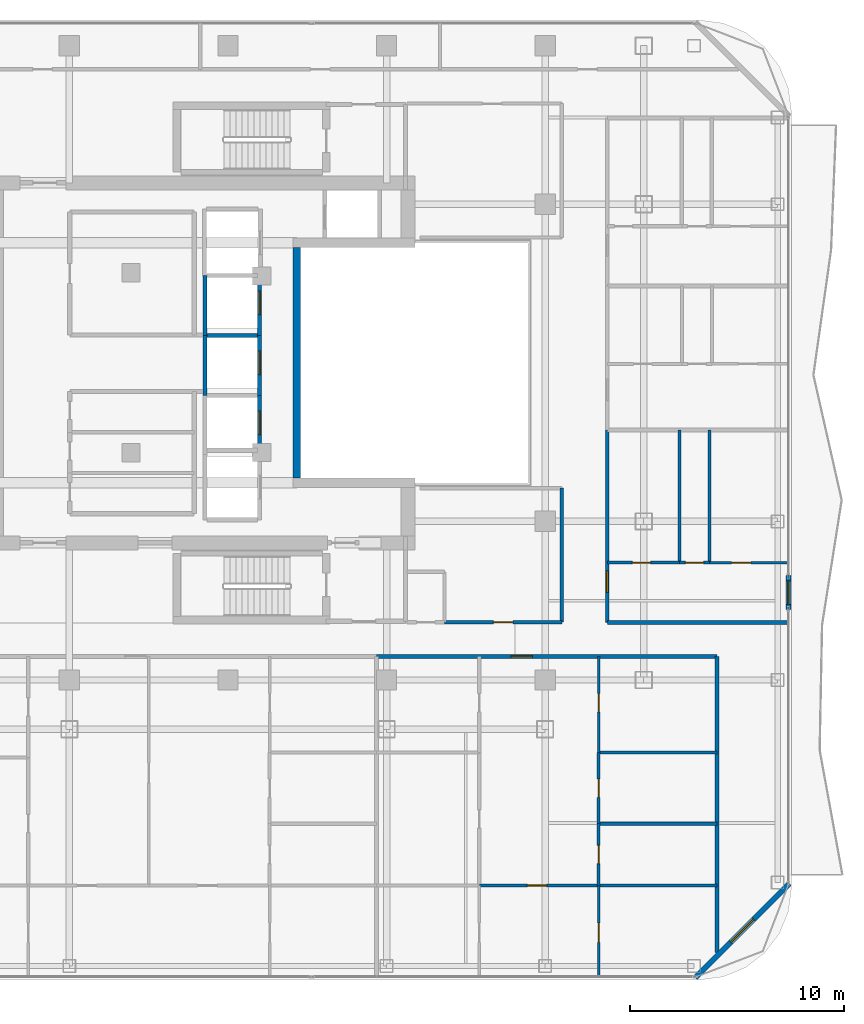
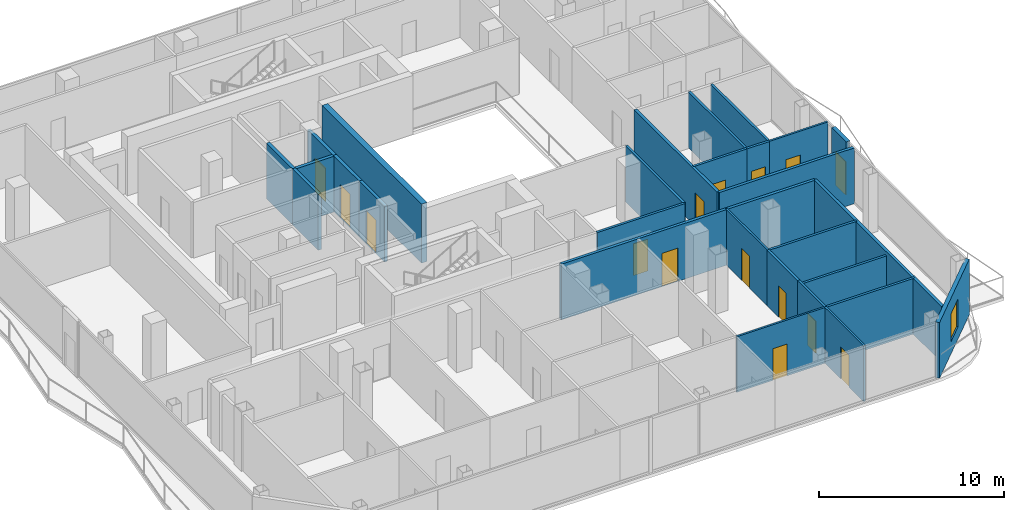
# One storey, part 22 of 27: 28 walls, 15 doors, 1 window, 16 openings.
"""IFC4 building model written with IfcOpenShell, lengths in metres."""

from ifc_helpers import new_model, si_unit, direction, frame, frame_2d, origin, place, context, subcontext, project, spatial, rectangle, extrude, material, layer, layer_set, type_object, element, fill, save


model = new_model("IFC4")

# Units and contexts
model_context = context("Model", 3, precision=1e-05, world=origin(), true_north=direction((0.0, 1.0)))
body_context = subcontext(model_context, "Body", "Model", "MODEL_VIEW")
ifc_project = project(units=[si_unit("LENGTHUNIT", "METRE"), si_unit("AREAUNIT", "SQUARE_METRE"), si_unit("VOLUMEUNIT", "CUBIC_METRE"), si_unit("PLANEANGLEUNIT", "RADIAN"), si_unit("MASSUNIT", "GRAM", prefix="KILO")], contexts=[model_context])

# Site, building, storey
site_placement = place(None, origin())
site = spatial("IfcSite", under=ifc_project, at=site_placement, CompositionType="ELEMENT")
building_placement = place(site_placement, origin())
building = spatial("IfcBuilding", under=site, at=building_placement, Name="Khorvyn Point Tower", CompositionType="ELEMENT")
storey_placement = place(building_placement, frame((0.0, 0.0, 243.0)))
storey = spatial("IfcBuildingStorey", under=building, at=storey_placement, Name="L59", CompositionType="ELEMENT", Elevation=243.0)

# Wall, opening, door
ifc_material_1 = material(Name="Double acoustic gypsum on twin steel stud", Category="steel")
ifc_layer_1 = layer(ifc_material_1, 0.179931640625)
ifc_layer_set_1 = layer_set([ifc_layer_1], Name="Acoustic Double-Stud Apartment Demising Wall 180")
wall_type_1 = type_object("IfcWallType", Name="Acoustic Double-Stud Apartment Demising Wall 180", PredefinedType="PARTITIONING", material=ifc_layer_set_1)
wall_1_placement = place(storey_placement, frame((6.927001953125, -13.699951171875, 0.0), z_axis=(0.0, 0.0, 1.0), x_axis=(1.0, 0.0, 0.0)))
wall_1 = element("IfcWall", 1, at=wall_1_placement, inside=storey, type_object=wall_type_1, Name="Wall", PredefinedType="PARTITIONING", context=body_context, shape_type="SweptSolid", body=[
    extrude(rectangle(XDim=15.89306640625, YDim=0.179931640625, at=frame_2d((7.946533203125, 0.0))), origin(), (0.0, 0.0, 1.0), 3.679931640625),
])
opening_1_placement = place(wall_1_placement, frame((6.277099609375, 0.0, 0.0)))
opening_1 = element("IfcOpeningElement", 2, at=opening_1_placement, cuts=wall_1, Name="Opening ID-AP60", PredefinedType="OPENING", context=body_context, shape_type="SweptSolid", body=[
    extrude(rectangle(XDim=1.0, YDim=2.199951171875, at=frame_2d((0.5, 1.10009765625))), frame((0.0, 0.099853515625, 0.0), z_axis=(0.0, -1.0, 0.0), x_axis=(1.0, 0.0, 0.0)), (0.0, 0.0, 1.0), 0.199951171875),
])
ifc_material_2 = material(Name="Engineered hardwood fire-rated leaf", Category="wood")
door_type_1 = type_object("IfcDoorType", Name="Acoustic Solid-Core Timber Apartment Entrance Door 1000x2200", OperationType="NOTDEFINED", PredefinedType="DOOR", material=ifc_material_2)
door_1_placement = place(opening_1_placement, origin())
door_1 = element("IfcDoor", 3, at=door_1_placement, inside=storey, type_object=door_type_1, Name="Door", OperationType="SINGLE_SWING_RIGHT", OverallHeight=2.199951171875, OverallWidth=1.0, PredefinedType="DOOR", context=body_context, shape_type="SweptSolid", body=[
    extrude(rectangle(XDim=1.0, YDim=2.199951171875, at=frame_2d((0.5, 1.10009765625))), frame((0.0, 0.02490234375, 0.0), z_axis=(0.0, -1.0, 0.0), x_axis=(1.0, 0.0, 0.0)), (0.0, 0.0, 1.0), 0.050048828125),
])
fill(opening_1, door_1)

wall_2_placement = place(storey_placement, frame((17.699951171875, -12.1201171875, 0.0), z_axis=(0.0, 0.0, 1.0), x_axis=(0.0, 1.0, 0.0)))
wall_2 = element("IfcWall", 4, at=wall_2_placement, inside=storey, type_object=wall_type_1, Name="Wall", PredefinedType="PARTITIONING", context=body_context, shape_type="SweptSolid", body=[
    extrude(rectangle(XDim=8.980224609375, YDim=0.179931640625, at=frame_2d((4.490234375, 0.0))), origin(), (0.0, 0.0, 1.0), 3.679931640625),
])
opening_2_placement = place(wall_2_placement, frame((1.406982421875, 0.0, 0.0)))
opening_2 = element("IfcOpeningElement", 5, at=opening_2_placement, cuts=wall_2, Name="Opening ID-AP60", PredefinedType="OPENING", context=body_context, shape_type="SweptSolid", body=[
    extrude(rectangle(XDim=1.0, YDim=2.199951171875, at=frame_2d((0.5, 1.10009765625))), frame((0.0, 0.099853515625, 0.0), z_axis=(0.0, -1.0, 0.0), x_axis=(1.0, 0.0, 0.0)), (0.0, 0.0, 1.0), 0.199951171875),
])
door_2_placement = place(opening_2_placement, origin())
door_2 = element("IfcDoor", 6, at=door_2_placement, inside=storey, type_object=door_type_1, Name="Door", OperationType="SINGLE_SWING_LEFT", OverallHeight=2.199951171875, OverallWidth=1.0, PredefinedType="DOOR", context=body_context, shape_type="SweptSolid", body=[
    extrude(rectangle(XDim=1.0, YDim=2.199951171875, at=frame_2d((0.5, 1.10009765625))), frame((0.0, 0.02490234375, 0.0), z_axis=(0.0, -1.0, 0.0), x_axis=(1.0, 0.0, 0.0)), (0.0, 0.0, 1.0), 0.050048828125),
])
fill(opening_2, door_2)

# Walls
wall_3_placement = place(storey_placement, frame((22.820068359375, -27.510009765625, 0.0), z_axis=(0.0, 0.0, 1.0), x_axis=(0.0, 1.0, 0.0)))
element("IfcWall", 7, at=wall_3_placement, inside=storey, type_object=wall_type_1, Name="Wall", PredefinedType="PARTITIONING", context=body_context, shape_type="SweptSolid", body=[
    extrude(rectangle(XDim=13.81005859375, YDim=0.179931640625, at=frame_2d((6.905029296875, 0.0))), origin(), (0.0, 0.0, 1.0), 3.679931640625),
])
wall_4_placement = place(storey_placement, frame((17.699951171875, -12.1201171875, 0.0), z_axis=(0.0, 0.0, 1.0), x_axis=(1.0, 0.0, 0.0)))
element("IfcWall", 8, at=wall_4_placement, inside=storey, type_object=wall_type_1, Name="Wall", PredefinedType="PARTITIONING", context=body_context, shape_type="SweptSolid", body=[
    extrude(rectangle(XDim=8.429931640625, YDim=0.179931640625, at=frame_2d((4.21484375, 0.0))), origin(), (0.0, 0.0, 1.0), 3.679931640625),
])

# Wall, opening, door
ifc_material_3 = material(Name="Pale anodised aluminium rainscreen on steel stud", Category="steel")
ifc_layer_2 = layer(ifc_material_3, 0.239990234375)
ifc_layer_set_2 = layer_set([ifc_layer_2], Name="Anodised Aluminium Insulated Corner Spandrel Wall 240")
wall_type_2 = type_object("IfcWallType", Name="Anodised Aluminium Insulated Corner Spandrel Wall 240", PredefinedType="SOLIDWALL", material=ifc_layer_set_2)
wall_5_placement = place(storey_placement, frame((26.14990234375, -9.929931640625, 0.0), z_axis=(0.0, 0.0, 1.0), x_axis=(0.0, -1.0, 0.0)))
wall_5 = element("IfcWall", 9, at=wall_5_placement, inside=storey, type_object=wall_type_2, Name="L59 East Outdoor Threshold Wall", PredefinedType="SOLIDWALL", context=body_context, shape_type="SweptSolid", body=[
    extrude(rectangle(XDim=1.580078125, YDim=0.239990234375, at=frame_2d((0.7900390625, 0.0))), origin(), (0.0, 0.0, 1.0), 3.679931640625),
])
opening_3_placement = place(wall_5_placement, frame((0.239990234375, 0.0, 0.0)))
opening_3 = element("IfcOpeningElement", 10, at=opening_3_placement, cuts=wall_5, Name="Opening BD-1122", PredefinedType="OPENING", context=body_context, shape_type="SweptSolid", body=[
    extrude(rectangle(XDim=1.10009765625, YDim=2.199951171875, at=frame_2d((0.550048828125, 1.10009765625))), frame((0.0, 0.1298828125, 0.0), z_axis=(0.0, -1.0, 0.0), x_axis=(1.0, 0.0, 0.0)), (0.0, 0.0, 1.0), 0.260009765625),
])
ifc_material_4 = material(Name="Anodised aluminium 6063-T6 and laminated Low-E glass", Category="aluminium")
door_type_2 = type_object("IfcDoorType", Name="Glazed Balcony and Terrace Threshold Door 1100x2200", OperationType="NOTDEFINED", PredefinedType="DOOR", material=ifc_material_4)
door_3_placement = place(opening_3_placement, origin())
door_3 = element("IfcDoor", 11, at=door_3_placement, inside=storey, type_object=door_type_2, Name="L59 East Glazed Balcony Outdoor Door", OperationType="SINGLE_SWING_LEFT", OverallHeight=2.199951171875, OverallWidth=1.10009765625, PredefinedType="DOOR", context=body_context, shape_type="SweptSolid", body=[
    extrude(rectangle(XDim=1.10009765625, YDim=2.199951171875, at=frame_2d((0.550048828125, 1.10009765625))), frame((0.0, 0.02490234375, 0.0), z_axis=(0.0, -1.0, 0.0), x_axis=(1.0, 0.0, 0.0)), (0.0, 0.0, 1.0), 0.050048828125),
])
fill(opening_3, door_3)

# Wall, opening, window
wall_6_placement = place(storey_placement, frame((26.1923828125, -24.3076171875, 0.0), z_axis=(0.0, 0.0, 1.0), x_axis=(-0.707106781187, -0.707106781187, 0.0)))
wall_6 = element("IfcWall", 12, at=wall_6_placement, inside=storey, type_object=wall_type_2, Name="L59 Rounded Corner Wall SE", PredefinedType="SOLIDWALL", context=body_context, shape_type="SweptSolid", body=[
    extrude(rectangle(XDim=6.200927734375, YDim=0.239990234375, at=frame_2d((3.1005859375, 0.0))), origin(), (0.0, 0.0, 1.0), 3.679931640625),
])
opening_4_placement = place(wall_6_placement, frame((2.3505859375, 0.0, 0.800048828125)))
opening_4 = element("IfcOpeningElement", 13, at=opening_4_placement, cuts=wall_6, Name="Opening WN-1518", PredefinedType="OPENING", context=body_context, shape_type="SweptSolid", body=[
    extrude(rectangle(XDim=1.5, YDim=1.85009765625, at=frame_2d((0.75, 0.925048828125))), frame((0.0, 0.1298828125, 0.0), z_axis=(0.0, -1.0, 0.0), x_axis=(1.0, 0.0, 0.0)), (0.0, 0.0, 1.0), 0.260009765625),
])
window_type = type_object("IfcWindowType", Name="Anodised Aluminium Rounded-Corner Panoramic Window 1500x1850", PartitioningType="SINGLE_PANEL", PredefinedType="WINDOW", material=ifc_material_4)
window_placement = place(opening_4_placement, origin())
window = element("IfcWindow", 14, at=window_placement, inside=storey, type_object=window_type, Name="L59 Corner Panoramic Window SE", OverallHeight=1.85009765625, OverallWidth=1.5, PartitioningType="SINGLE_PANEL", PredefinedType="WINDOW", context=body_context, shape_type="SweptSolid", body=[
    extrude(rectangle(XDim=1.5, YDim=1.85009765625, at=frame_2d((0.75, 0.925048828125))), frame((0.0, 0.030029296875, 0.0), z_axis=(0.0, -1.0, 0.0), x_axis=(1.0, 0.0, 0.0)), (0.0, 0.0, 1.0), 0.06005859375),
])
fill(opening_4, window)

# Wall
ifc_material_5 = material(Name="Concrete C40/50", Category="concrete")
ifc_layer_3 = layer(ifc_material_5, 0.35009765625)
ifc_layer_set_3 = layer_set([ifc_layer_3], Name="Concrete C40/50 Stair Shaft Structural Wall 350")
wall_type_3 = type_object("IfcWallType", Name="Concrete C40/50 Stair Shaft Structural Wall 350", PredefinedType="SHEAR", material=ifc_layer_set_3)
wall_7_placement = place(storey_placement, frame((3.219970703125, -5.375, 0.0), z_axis=(0.0, 0.0, 1.0), x_axis=(0.0, 1.0, 0.0)))
element("IfcWall", 15, at=wall_7_placement, inside=storey, type_object=wall_type_3, Name="Wall", PredefinedType="SHEAR", context=body_context, shape_type="SweptSolid", body=[
    extrude(rectangle(XDim=10.75, YDim=0.35009765625, at=frame_2d((5.375, 0.0))), origin(), (0.0, 0.0, 1.0), 3.89990234375),
])

# Wall, opening, door
ifc_layer_4 = layer(ifc_material_5, 0.199951171875)
ifc_layer_set_4 = layer_set([ifc_layer_4], Name="Concrete C40/50 Structural Hoistway and Stair Shaft Wall 200")
wall_type_4 = type_object("IfcWallType", Name="Concrete C40/50 Structural Hoistway and Stair Shaft Wall 200", PredefinedType="SHEAR", material=ifc_layer_set_4)
wall_8_placement = place(storey_placement, frame((1.47509765625, -4.27490234375, 0.0), z_axis=(0.0, 0.0, 1.0), x_axis=(0.0, 1.0, 0.0)))
wall_8 = element("IfcWall", 16, at=wall_8_placement, inside=storey, type_object=wall_type_4, Name="Wall", PredefinedType="SHEAR", context=body_context, shape_type="SweptSolid", body=[
    extrude(rectangle(XDim=2.75, YDim=0.199951171875, at=frame_2d((1.375, 0.0))), origin(), (0.0, 0.0, 1.0), 3.679931640625),
])
opening_5_placement = place(wall_8_placement, frame((0.925048828125, 0.0, 0.0)))
opening_5 = element("IfcOpeningElement", 17, at=opening_5_placement, cuts=wall_8, Name="Opening LD-1122", PredefinedType="OPENING", context=body_context, shape_type="SweptSolid", body=[
    extrude(rectangle(XDim=1.10009765625, YDim=2.199951171875, at=frame_2d((0.550048828125, 1.10009765625))), frame((0.0, 0.10986328125, 0.0), z_axis=(0.0, -1.0, 0.0), x_axis=(1.0, 0.0, 0.0)), (0.0, 0.0, 1.0), 0.219970703125),
])
ifc_material_6 = material(Name="Stainless steel 1.4301", Category="steel")
door_type_3 = type_object("IfcDoorType", Name="Stainless Steel Automatic Sliding Lift Landing Door 1100x2200", OperationType="SLIDING_TO_LEFT", PredefinedType="DOOR", material=ifc_material_6)
door_4_placement = place(opening_5_placement, origin())
door_4 = element("IfcDoor", 18, at=door_4_placement, inside=storey, type_object=door_type_3, Name="L59 RH-01 Sliding Lift Landing Door", OperationType="SLIDING_TO_LEFT", OverallHeight=2.199951171875, OverallWidth=1.10009765625, PredefinedType="DOOR", context=body_context, shape_type="SweptSolid", body=[
    extrude(rectangle(XDim=1.10009765625, YDim=2.199951171875, at=frame_2d((0.550048828125, 1.10009765625))), frame((0.0, 0.02490234375, 0.0), z_axis=(0.0, -1.0, 0.0), x_axis=(1.0, 0.0, 0.0)), (0.0, 0.0, 1.0), 0.050048828125),
])
fill(opening_5, door_4)

# Wall
wall_9_placement = place(storey_placement, frame((-1.074951171875, -1.52490234375, 0.0), z_axis=(0.0, 0.0, 1.0), x_axis=(0.0, 1.0, 0.0)))
element("IfcWall", 19, at=wall_9_placement, inside=storey, type_object=wall_type_4, Name="Wall", PredefinedType="SHEAR", context=body_context, shape_type="SweptSolid", body=[
    extrude(rectangle(XDim=2.7998046875, YDim=0.199951171875, at=frame_2d((1.39990234375, 0.0))), origin(), (0.0, 0.0, 1.0), 3.679931640625),
])

# Wall, opening, door
wall_10_placement = place(storey_placement, frame((1.47509765625, -1.52490234375, 0.0), z_axis=(0.0, 0.0, 1.0), x_axis=(0.0, 1.0, 0.0)))
wall_10 = element("IfcWall", 20, at=wall_10_placement, inside=storey, type_object=wall_type_4, Name="Wall", PredefinedType="SHEAR", context=body_context, shape_type="SweptSolid", body=[
    extrude(rectangle(XDim=2.7998046875, YDim=0.199951171875, at=frame_2d((1.39990234375, 0.0))), origin(), (0.0, 0.0, 1.0), 3.679931640625),
])
opening_6_placement = place(wall_10_placement, frame((0.97509765625, 0.0, 0.0)))
opening_6 = element("IfcOpeningElement", 21, at=opening_6_placement, cuts=wall_10, Name="Opening LD-1122", PredefinedType="OPENING", context=body_context, shape_type="SweptSolid", body=[
    extrude(rectangle(XDim=1.10009765625, YDim=2.199951171875, at=frame_2d((0.550048828125, 1.10009765625))), frame((0.0, 0.10986328125, 0.0), z_axis=(0.0, -1.0, 0.0), x_axis=(1.0, 0.0, 0.0)), (0.0, 0.0, 1.0), 0.219970703125),
])
door_5_placement = place(opening_6_placement, origin())
door_5 = element("IfcDoor", 22, at=door_5_placement, inside=storey, type_object=door_type_3, Name="L59 RH-02 Sliding Lift Landing Door", OperationType="SLIDING_TO_LEFT", OverallHeight=2.199951171875, OverallWidth=1.10009765625, PredefinedType="DOOR", context=body_context, shape_type="SweptSolid", body=[
    extrude(rectangle(XDim=1.10009765625, YDim=2.199951171875, at=frame_2d((0.550048828125, 1.10009765625))), frame((0.0, 0.02490234375, 0.0), z_axis=(0.0, -1.0, 0.0), x_axis=(1.0, 0.0, 0.0)), (0.0, 0.0, 1.0), 0.050048828125),
])
fill(opening_6, door_5)

# Walls
wall_11_placement = place(storey_placement, frame((-0.97509765625, 1.27490234375, 0.0), z_axis=(0.0, 0.0, 1.0), x_axis=(1.0, 0.0, 0.0)))
element("IfcWall", 23, at=wall_11_placement, inside=storey, type_object=wall_type_4, Name="Wall", PredefinedType="SHEAR", context=body_context, shape_type="SweptSolid", body=[
    extrude(rectangle(XDim=2.35009765625, YDim=0.199951171875, at=frame_2d((1.175048828125, 0.0))), origin(), (0.0, 0.0, 1.0), 3.679931640625),
])
wall_12_placement = place(storey_placement, frame((-1.074951171875, 1.27490234375, 0.0), z_axis=(0.0, 0.0, 1.0), x_axis=(0.0, 1.0, 0.0)))
element("IfcWall", 24, at=wall_12_placement, inside=storey, type_object=wall_type_4, Name="Wall", PredefinedType="SHEAR", context=body_context, shape_type="SweptSolid", body=[
    extrude(rectangle(XDim=2.800048828125, YDim=0.199951171875, at=frame_2d((1.39990234375, 0.0))), origin(), (0.0, 0.0, 1.0), 3.679931640625),
])

# Wall, opening, door
wall_13_placement = place(storey_placement, frame((1.47509765625, 1.27490234375, 0.0), z_axis=(0.0, 0.0, 1.0), x_axis=(0.0, 1.0, 0.0)))
wall_13 = element("IfcWall", 25, at=wall_13_placement, inside=storey, type_object=wall_type_4, Name="Wall", PredefinedType="SHEAR", context=body_context, shape_type="SweptSolid", body=[
    extrude(rectangle(XDim=2.800048828125, YDim=0.199951171875, at=frame_2d((1.39990234375, 0.0))), origin(), (0.0, 0.0, 1.0), 3.679931640625),
])
opening_7_placement = place(wall_13_placement, frame((0.97509765625, 0.0, 0.0)))
opening_7 = element("IfcOpeningElement", 26, at=opening_7_placement, cuts=wall_13, Name="Opening LD-1122", PredefinedType="OPENING", context=body_context, shape_type="SweptSolid", body=[
    extrude(rectangle(XDim=1.10009765625, YDim=2.199951171875, at=frame_2d((0.550048828125, 1.10009765625))), frame((0.0, 0.10986328125, 0.0), z_axis=(0.0, -1.0, 0.0), x_axis=(1.0, 0.0, 0.0)), (0.0, 0.0, 1.0), 0.219970703125),
])
door_6_placement = place(opening_7_placement, origin())
door_6 = element("IfcDoor", 27, at=door_6_placement, inside=storey, type_object=door_type_3, Name="L59 RH-03 Sliding Lift Landing Door", OperationType="SLIDING_TO_LEFT", OverallHeight=2.199951171875, OverallWidth=1.10009765625, PredefinedType="DOOR", context=body_context, shape_type="SweptSolid", body=[
    extrude(rectangle(XDim=1.10009765625, YDim=2.199951171875, at=frame_2d((0.550048828125, 1.10009765625))), frame((0.0, 0.02490234375, 0.0), z_axis=(0.0, -1.0, 0.0), x_axis=(1.0, 0.0, 0.0)), (0.0, 0.0, 1.0), 0.050048828125),
])
fill(opening_7, door_6)

ifc_material_7 = material(Name="Gypsum plasterboard on steel stud", Category="steel")
ifc_layer_5 = layer(ifc_material_7, 0.1201171875)
ifc_layer_set_5 = layer_set([ifc_layer_5], Name="Gypsum Acoustic Stud Room Partition Wall 120")
wall_type_5 = type_object("IfcWallType", Name="Gypsum Acoustic Stud Room Partition Wall 120", PredefinedType="PARTITIONING", material=ifc_layer_set_5)
wall_14_placement = place(storey_placement, frame((11.72998046875, -24.389892578125, 0.0), z_axis=(0.0, 0.0, 1.0), x_axis=(1.0, 0.0, 0.0)))
wall_14 = element("IfcWall", 28, at=wall_14_placement, inside=storey, type_object=wall_type_5, Name="Wall", PredefinedType="PARTITIONING", context=body_context, shape_type="SweptSolid", body=[
    extrude(rectangle(XDim=5.56298828125, YDim=0.1201171875, at=frame_2d((2.781494140625, 0.0))), origin(), (0.0, 0.0, 1.0), 3.679931640625),
])
opening_8_placement = place(wall_14_placement, frame((2.24462890625, 0.0, 0.0)))
opening_8 = element("IfcOpeningElement", 29, at=opening_8_placement, cuts=wall_14, Name="Opening ID-RM90", PredefinedType="OPENING", context=body_context, shape_type="SweptSolid", body=[
    extrude(rectangle(XDim=0.89990234375, YDim=2.10009765625, at=frame_2d((0.449951171875, 1.050048828125))), frame((0.0, 0.070068359375, 0.0), z_axis=(0.0, -1.0, 0.0), x_axis=(1.0, 0.0, 0.0)), (0.0, 0.0, 1.0), 0.14013671875),
])
ifc_material_8 = material(Name="Engineered oak veneer timber", Category="wood")
door_type_4 = type_object("IfcDoorType", Name="Flush Engineered Timber Room Door 900x2100", OperationType="NOTDEFINED", PredefinedType="DOOR", material=ifc_material_8)
door_7_placement = place(opening_8_placement, origin())
door_7 = element("IfcDoor", 30, at=door_7_placement, inside=storey, type_object=door_type_4, Name="Door", OperationType="SINGLE_SWING_LEFT", OverallHeight=2.10009765625, OverallWidth=0.89990234375, PredefinedType="DOOR", context=body_context, shape_type="SweptSolid", body=[
    extrude(rectangle(XDim=0.89990234375, YDim=2.10009765625, at=frame_2d((0.449951171875, 1.050048828125))), frame((0.0, 0.02490234375, 0.0), z_axis=(0.0, -1.0, 0.0), x_axis=(1.0, 0.0, 0.0)), (0.0, 0.0, 1.0), 0.050048828125),
])
fill(opening_8, door_7)

wall_15_placement = place(storey_placement, frame((17.29296875, -18.18994140625, 0.0), z_axis=(0.0, 0.0, 1.0), x_axis=(0.0, 1.0, 0.0)))
wall_15 = element("IfcWall", 31, at=wall_15_placement, inside=storey, type_object=wall_type_5, Name="Wall", PredefinedType="PARTITIONING", context=body_context, shape_type="SweptSolid", body=[
    extrude(rectangle(XDim=4.489990234375, YDim=0.1201171875, at=frame_2d((2.2451171875, 0.0))), origin(), (0.0, 0.0, 1.0), 3.679931640625),
])
opening_9_placement = place(wall_15_placement, frame((1.907470703125, 0.0, 0.0)))
opening_9 = element("IfcOpeningElement", 32, at=opening_9_placement, cuts=wall_15, Name="Opening ID-WC85", PredefinedType="OPENING", context=body_context, shape_type="SweptSolid", body=[
    extrude(rectangle(XDim=0.85009765625, YDim=2.10009765625, at=frame_2d((0.425048828125, 1.050048828125))), frame((0.0, 0.070068359375, 0.0), z_axis=(0.0, -1.0, 0.0), x_axis=(1.0, 0.0, 0.0)), (0.0, 0.0, 1.0), 0.14013671875),
])
ifc_material_9 = material(Name="High-pressure laminate on moisture-resistant core", Category="wood")
door_type_5 = type_object("IfcDoorType", Name="Moisture-Resistant Accessible Washroom Door 850x2100", OperationType="NOTDEFINED", PredefinedType="DOOR", material=ifc_material_9)
door_8_placement = place(opening_9_placement, origin())
door_8 = element("IfcDoor", 33, at=door_8_placement, inside=storey, type_object=door_type_5, Name="Door", OperationType="SINGLE_SWING_LEFT", OverallHeight=2.10009765625, OverallWidth=0.85009765625, PredefinedType="DOOR", context=body_context, shape_type="SweptSolid", body=[
    extrude(rectangle(XDim=0.85009765625, YDim=2.10009765625, at=frame_2d((0.425048828125, 1.050048828125))), frame((0.0, 0.02490234375, 0.0), z_axis=(0.0, -1.0, 0.0), x_axis=(1.0, 0.0, 0.0)), (0.0, 0.0, 1.0), 0.050048828125),
])
fill(opening_9, door_8)

wall_16_placement = place(storey_placement, frame((17.29296875, -28.6298828125, 0.0), z_axis=(0.0, 0.0, 1.0), x_axis=(0.0, 1.0, 0.0)))
wall_16 = element("IfcWall", 34, at=wall_16_placement, inside=storey, type_object=wall_type_5, Name="Wall", PredefinedType="PARTITIONING", context=body_context, shape_type="SweptSolid", body=[
    extrude(rectangle(XDim=4.239990234375, YDim=0.1201171875, at=frame_2d((2.1201171875, 0.0))), origin(), (0.0, 0.0, 1.0), 3.679931640625),
])
opening_10_placement = place(wall_16_placement, frame((1.581298828125, 0.0, 0.0)))
opening_10 = element("IfcOpeningElement", 35, at=opening_10_placement, cuts=wall_16, Name="Opening ID-RM90", PredefinedType="OPENING", context=body_context, shape_type="SweptSolid", body=[
    extrude(rectangle(XDim=0.89990234375, YDim=2.10009765625, at=frame_2d((0.449951171875, 1.050048828125))), frame((0.0, 0.070068359375, 0.0), z_axis=(0.0, -1.0, 0.0), x_axis=(1.0, 0.0, 0.0)), (0.0, 0.0, 1.0), 0.14013671875),
])
door_9_placement = place(opening_10_placement, origin())
door_9 = element("IfcDoor", 36, at=door_9_placement, inside=storey, type_object=door_type_4, Name="Door", OperationType="SINGLE_SWING_RIGHT", OverallHeight=2.10009765625, OverallWidth=0.89990234375, PredefinedType="DOOR", context=body_context, shape_type="SweptSolid", body=[
    extrude(rectangle(XDim=0.89990234375, YDim=2.10009765625, at=frame_2d((0.449951171875, 1.050048828125))), frame((0.0, 0.02490234375, 0.0), z_axis=(0.0, -1.0, 0.0), x_axis=(1.0, 0.0, 0.0)), (0.0, 0.0, 1.0), 0.050048828125),
])
fill(opening_10, door_9)

wall_17_placement = place(storey_placement, frame((22.468994140625, -9.320068359375, 0.0), z_axis=(0.0, 0.0, 1.0), x_axis=(1.0, 0.0, 0.0)))
wall_17 = element("IfcWall", 37, at=wall_17_placement, inside=storey, type_object=wall_type_5, Name="Wall", PredefinedType="PARTITIONING", context=body_context, shape_type="SweptSolid", body=[
    extrude(rectangle(XDim=3.660888671875, YDim=0.1201171875, at=frame_2d((1.83056640625, 0.0))), origin(), (0.0, 0.0, 1.0), 3.679931640625),
])
opening_11_placement = place(wall_17_placement, frame((1.03173828125, 0.0, 0.0)))
opening_11 = element("IfcOpeningElement", 38, at=opening_11_placement, cuts=wall_17, Name="Opening ID-RM90", PredefinedType="OPENING", context=body_context, shape_type="SweptSolid", body=[
    extrude(rectangle(XDim=0.89990234375, YDim=2.10009765625, at=frame_2d((0.449951171875, 1.050048828125))), frame((0.0, 0.070068359375, 0.0), z_axis=(0.0, -1.0, 0.0), x_axis=(1.0, 0.0, 0.0)), (0.0, 0.0, 1.0), 0.14013671875),
])
door_10_placement = place(opening_11_placement, origin())
door_10 = element("IfcDoor", 39, at=door_10_placement, inside=storey, type_object=door_type_4, Name="Door", OperationType="SINGLE_SWING_RIGHT", OverallHeight=2.10009765625, OverallWidth=0.89990234375, PredefinedType="DOOR", context=body_context, shape_type="SweptSolid", body=[
    extrude(rectangle(XDim=0.89990234375, YDim=2.10009765625, at=frame_2d((0.449951171875, 1.050048828125))), frame((0.0, 0.02490234375, 0.0), z_axis=(0.0, -1.0, 0.0), x_axis=(1.0, 0.0, 0.0)), (0.0, 0.0, 1.0), 0.050048828125),
])
fill(opening_11, door_10)

ifc_material_10 = material(Name="Moisture-resistant gypsum and cement board", Category="gypsum")
ifc_layer_6 = layer(ifc_material_10, 0.14990234375)
ifc_layer_set_6 = layer_set([ifc_layer_6], Name="Moisture-Resistant Wet-Room Partition Wall 150")
wall_type_6 = type_object("IfcWallType", Name="Moisture-Resistant Wet-Room Partition Wall 150", PredefinedType="PARTITIONING", material=ifc_layer_set_6)
wall_18_placement = place(storey_placement, frame((10.10009765625, -12.10009765625, 0.0), z_axis=(0.0, 0.0, 1.0), x_axis=(1.0, 0.0, 0.0)))
wall_18 = element("IfcWall", 40, at=wall_18_placement, inside=storey, type_object=wall_type_6, Name="Wall", PredefinedType="PARTITIONING", context=body_context, shape_type="SweptSolid", body=[
    extrude(rectangle(XDim=5.47998046875, YDim=0.14990234375, at=frame_2d((2.739990234375, 0.0))), origin(), (0.0, 0.0, 1.0), 3.679931640625),
])
opening_12_placement = place(wall_18_placement, frame((2.2900390625, 0.0, 0.0)))
opening_12 = element("IfcOpeningElement", 41, at=opening_12_placement, cuts=wall_18, Name="Opening ID-RM90", PredefinedType="OPENING", context=body_context, shape_type="SweptSolid", body=[
    extrude(rectangle(XDim=0.89990234375, YDim=2.10009765625, at=frame_2d((0.449951171875, 1.050048828125))), frame((0.0, 0.0849609375, 0.0), z_axis=(0.0, -1.0, 0.0), x_axis=(1.0, 0.0, 0.0)), (0.0, 0.0, 1.0), 0.169921875),
])
door_11_placement = place(opening_12_placement, origin())
door_11 = element("IfcDoor", 42, at=door_11_placement, inside=storey, type_object=door_type_4, Name="Door", OperationType="SINGLE_SWING_RIGHT", OverallHeight=2.10009765625, OverallWidth=0.89990234375, PredefinedType="DOOR", context=body_context, shape_type="SweptSolid", body=[
    extrude(rectangle(XDim=0.89990234375, YDim=2.10009765625, at=frame_2d((0.449951171875, 1.050048828125))), frame((0.0, 0.02490234375, 0.0), z_axis=(0.0, -1.0, 0.0), x_axis=(1.0, 0.0, 0.0)), (0.0, 0.0, 1.0), 0.050048828125),
])
fill(opening_12, door_11)

wall_19_placement = place(storey_placement, frame((17.29296875, -24.389892578125, 0.0), z_axis=(0.0, 0.0, 1.0), x_axis=(0.0, 1.0, 0.0)))
wall_19 = element("IfcWall", 43, at=wall_19_placement, inside=storey, type_object=wall_type_6, Name="Wall", PredefinedType="PARTITIONING", context=body_context, shape_type="SweptSolid", body=[
    extrude(rectangle(XDim=2.885986328125, YDim=0.14990234375, at=frame_2d((1.44287109375, 0.0))), origin(), (0.0, 0.0, 1.0), 3.679931640625),
])
opening_13_placement = place(wall_19_placement, frame((1.01806640625, 0.0, 0.0)))
opening_13 = element("IfcOpeningElement", 44, at=opening_13_placement, cuts=wall_19, Name="Opening ID-WC85", PredefinedType="OPENING", context=body_context, shape_type="SweptSolid", body=[
    extrude(rectangle(XDim=0.85009765625, YDim=2.10009765625, at=frame_2d((0.425048828125, 1.050048828125))), frame((0.0, 0.0849609375, 0.0), z_axis=(0.0, -1.0, 0.0), x_axis=(1.0, 0.0, 0.0)), (0.0, 0.0, 1.0), 0.169921875),
])
door_12_placement = place(opening_13_placement, origin())
door_12 = element("IfcDoor", 45, at=door_12_placement, inside=storey, type_object=door_type_5, Name="Door", OperationType="SINGLE_SWING_LEFT", OverallHeight=2.10009765625, OverallWidth=0.85009765625, PredefinedType="DOOR", context=body_context, shape_type="SweptSolid", body=[
    extrude(rectangle(XDim=0.85009765625, YDim=2.10009765625, at=frame_2d((0.425048828125, 1.050048828125))), frame((0.0, 0.02490234375, 0.0), z_axis=(0.0, -1.0, 0.0), x_axis=(1.0, 0.0, 0.0)), (0.0, 0.0, 1.0), 0.050048828125),
])
fill(opening_13, door_12)

wall_20_placement = place(storey_placement, frame((17.29296875, -21.50390625, 0.0), z_axis=(0.0, 0.0, 1.0), x_axis=(0.0, 1.0, 0.0)))
wall_20 = element("IfcWall", 46, at=wall_20_placement, inside=storey, type_object=wall_type_6, Name="Wall", PredefinedType="PARTITIONING", context=body_context, shape_type="SweptSolid", body=[
    extrude(rectangle(XDim=3.31396484375, YDim=0.14990234375, at=frame_2d((1.656982421875, 0.0))), origin(), (0.0, 0.0, 1.0), 3.679931640625),
])
opening_14_placement = place(wall_20_placement, frame((1.23193359375, 0.0, 0.0)))
opening_14 = element("IfcOpeningElement", 47, at=opening_14_placement, cuts=wall_20, Name="Opening ID-WC85", PredefinedType="OPENING", context=body_context, shape_type="SweptSolid", body=[
    extrude(rectangle(XDim=0.85009765625, YDim=2.10009765625, at=frame_2d((0.425048828125, 1.050048828125))), frame((0.0, 0.0849609375, 0.0), z_axis=(0.0, -1.0, 0.0), x_axis=(1.0, 0.0, 0.0)), (0.0, 0.0, 1.0), 0.169921875),
])
door_13_placement = place(opening_14_placement, origin())
door_13 = element("IfcDoor", 48, at=door_13_placement, inside=storey, type_object=door_type_5, Name="Door", OperationType="SINGLE_SWING_RIGHT", OverallHeight=2.10009765625, OverallWidth=0.85009765625, PredefinedType="DOOR", context=body_context, shape_type="SweptSolid", body=[
    extrude(rectangle(XDim=0.85009765625, YDim=2.10009765625, at=frame_2d((0.425048828125, 1.050048828125))), frame((0.0, 0.02490234375, 0.0), z_axis=(0.0, -1.0, 0.0), x_axis=(1.0, 0.0, 0.0)), (0.0, 0.0, 1.0), 0.050048828125),
])
fill(opening_14, door_13)

wall_21_placement = place(storey_placement, frame((17.699951171875, -9.320068359375, 0.0), z_axis=(0.0, 0.0, 1.0), x_axis=(1.0, 0.0, 0.0)))
wall_21 = element("IfcWall", 49, at=wall_21_placement, inside=storey, type_object=wall_type_6, Name="Wall", PredefinedType="PARTITIONING", context=body_context, shape_type="SweptSolid", body=[
    extrude(rectangle(XDim=3.369140625, YDim=0.14990234375, at=frame_2d((1.6845703125, 0.0))), origin(), (0.0, 0.0, 1.0), 3.679931640625),
])
opening_15_placement = place(wall_21_placement, frame((1.1748046875, 0.0, 0.0)))
opening_15 = element("IfcOpeningElement", 50, at=opening_15_placement, cuts=wall_21, Name="Opening ID-WC85", PredefinedType="OPENING", context=body_context, shape_type="SweptSolid", body=[
    extrude(rectangle(XDim=0.85009765625, YDim=2.10009765625, at=frame_2d((0.425048828125, 1.050048828125))), frame((0.0, 0.0849609375, 0.0), z_axis=(0.0, -1.0, 0.0), x_axis=(1.0, 0.0, 0.0)), (0.0, 0.0, 1.0), 0.169921875),
])
door_14_placement = place(opening_15_placement, origin())
door_14 = element("IfcDoor", 51, at=door_14_placement, inside=storey, type_object=door_type_5, Name="Door", OperationType="SINGLE_SWING_RIGHT", OverallHeight=2.10009765625, OverallWidth=0.85009765625, PredefinedType="DOOR", context=body_context, shape_type="SweptSolid", body=[
    extrude(rectangle(XDim=0.85009765625, YDim=2.10009765625, at=frame_2d((0.425048828125, 1.050048828125))), frame((0.0, 0.02490234375, 0.0), z_axis=(0.0, -1.0, 0.0), x_axis=(1.0, 0.0, 0.0)), (0.0, 0.0, 1.0), 0.050048828125),
])
fill(opening_15, door_14)

wall_22_placement = place(storey_placement, frame((21.069091796875, -9.320068359375, 0.0), z_axis=(0.0, 0.0, 1.0), x_axis=(1.0, 0.0, 0.0)))
wall_22 = element("IfcWall", 52, at=wall_22_placement, inside=storey, type_object=wall_type_6, Name="Wall", PredefinedType="PARTITIONING", context=body_context, shape_type="SweptSolid", body=[
    extrude(rectangle(XDim=1.39990234375, YDim=0.14990234375, at=frame_2d((0.699951171875, 0.0))), origin(), (0.0, 0.0, 1.0), 3.679931640625),
])
opening_16_placement = place(wall_22_placement, frame((0.27490234375, 0.0, 0.0)))
opening_16 = element("IfcOpeningElement", 53, at=opening_16_placement, cuts=wall_22, Name="Opening ID-WC85", PredefinedType="OPENING", context=body_context, shape_type="SweptSolid", body=[
    extrude(rectangle(XDim=0.85009765625, YDim=2.10009765625, at=frame_2d((0.425048828125, 1.050048828125))), frame((0.0, 0.0849609375, 0.0), z_axis=(0.0, -1.0, 0.0), x_axis=(1.0, 0.0, 0.0)), (0.0, 0.0, 1.0), 0.169921875),
])
door_15_placement = place(opening_16_placement, origin())
door_15 = element("IfcDoor", 54, at=door_15_placement, inside=storey, type_object=door_type_5, Name="Door", OperationType="SINGLE_SWING_LEFT", OverallHeight=2.10009765625, OverallWidth=0.85009765625, PredefinedType="DOOR", context=body_context, shape_type="SweptSolid", body=[
    extrude(rectangle(XDim=0.85009765625, YDim=2.10009765625, at=frame_2d((0.425048828125, 1.050048828125))), frame((0.0, 0.02490234375, 0.0), z_axis=(0.0, -1.0, 0.0), x_axis=(1.0, 0.0, 0.0)), (0.0, 0.0, 1.0), 0.050048828125),
])
fill(opening_16, door_15)

# Walls
wall_23_placement = place(storey_placement, frame((15.580078125, -12.10009765625, 0.0), z_axis=(0.0, 0.0, 1.0), x_axis=(0.0, 1.0, 0.0)))
element("IfcWall", 55, at=wall_23_placement, inside=storey, type_object=wall_type_6, Name="Wall", PredefinedType="PARTITIONING", context=body_context, shape_type="SweptSolid", body=[
    extrude(rectangle(XDim=6.25, YDim=0.14990234375, at=frame_2d((3.125, 0.0))), origin(), (0.0, 0.0, 1.0), 3.679931640625),
])
wall_24_placement = place(storey_placement, frame((17.29296875, -21.50390625, 0.0), z_axis=(0.0, 0.0, 1.0), x_axis=(1.0, 0.0, 0.0)))
element("IfcWall", 56, at=wall_24_placement, inside=storey, type_object=wall_type_6, Name="Wall", PredefinedType="PARTITIONING", context=body_context, shape_type="SweptSolid", body=[
    extrude(rectangle(XDim=5.527099609375, YDim=0.14990234375, at=frame_2d((2.763671875, 0.0))), origin(), (0.0, 0.0, 1.0), 3.419921875),
])
for number, where, z_axis, x_axis, name in (
    (57, (17.29296875, -18.18994140625, 0.0), (0.0, 0.0, 1.0), (1.0, 0.0, 0.0), "Wall"),
    (58, (17.29296875, -24.389892578125, 0.0), (0.0, 0.0, 1.0), (1.0, 0.0, 0.0), "Wall"),
):
    element("IfcWall", number, at=place(storey_placement, frame(where, z_axis=z_axis, x_axis=x_axis)), inside=storey, type_object=wall_type_6, Name=name, PredefinedType="PARTITIONING", context=body_context, shape_type="SweptSolid", body=[
        extrude(rectangle(XDim=5.527099609375, YDim=0.14990234375, at=frame_2d((2.763671875, 0.0))), origin(), (0.0, 0.0, 1.0), 3.679931640625),
    ])
for number, where, z_axis, x_axis, name in (
    (59, (21.069091796875, -9.320068359375, 0.0), (0.0, 0.0, 1.0), (0.0, 1.0, 0.0), "Wall"),
    (60, (22.468994140625, -9.320068359375, 0.0), (0.0, 0.0, 1.0), (0.0, 1.0, 0.0), "Wall"),
):
    element("IfcWall", number, at=place(storey_placement, frame(where, z_axis=z_axis, x_axis=x_axis)), inside=storey, type_object=wall_type_6, Name=name, PredefinedType="PARTITIONING", context=body_context, shape_type="SweptSolid", body=[
        extrude(rectangle(XDim=6.18017578125, YDim=0.14990234375, at=frame_2d((3.090087890625, 0.0))), origin(), (0.0, 0.0, 1.0), 3.679931640625),
    ])

save(model, "model.ifc")
